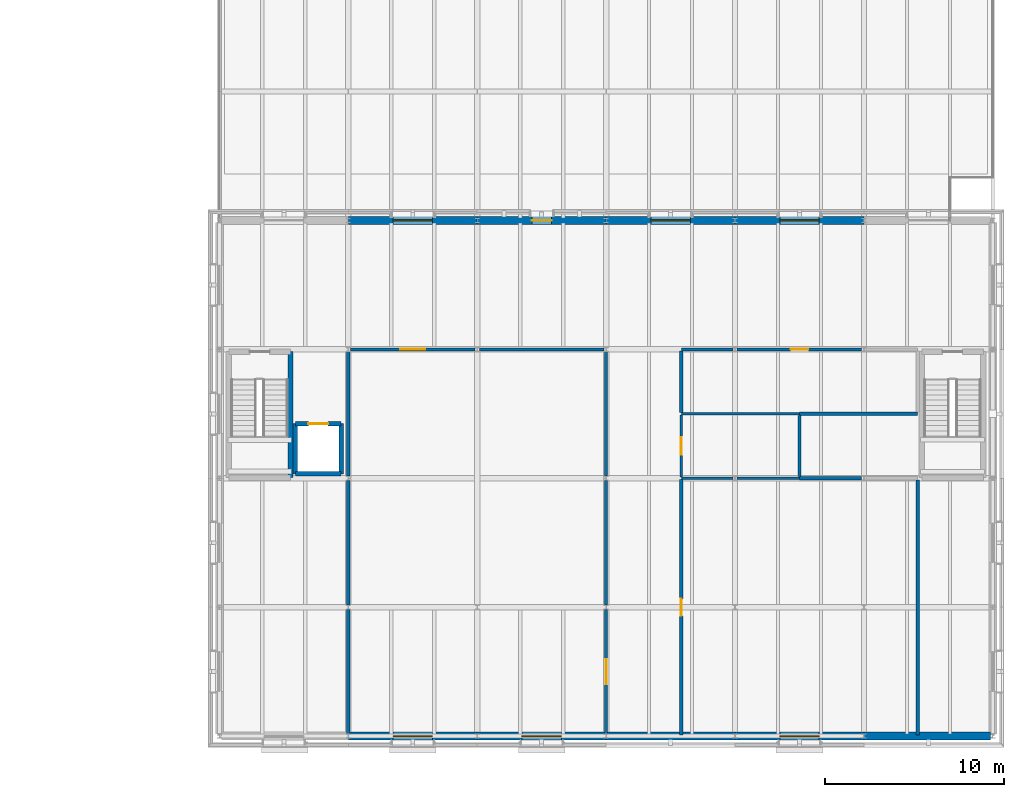
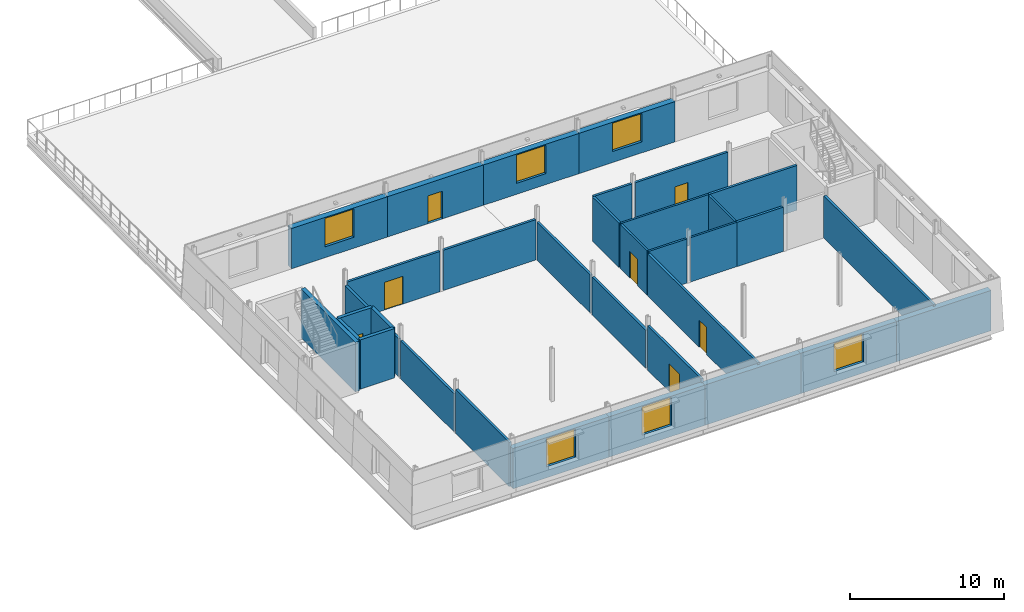
# One storey, part 75 of 115: 34 walls, 7 doors, 6 windows, 13 openings.
"""IFC4 building model written with IfcOpenShell, lengths in metres."""

from ifc_helpers import new_model, si_unit, direction, frame, frame_2d, origin, place, context, subcontext, project, spatial, rectangle, extrude, material, layer, layer_set, type_object, element, fill, save


model = new_model("IFC4")

# Units and contexts
model_context = context("Model", 3, precision=1e-05, world=origin(), true_north=direction((0.0, 1.0)))
body_context = subcontext(model_context, "Body", "Model", "MODEL_VIEW")
ifc_project = project(units=[si_unit("LENGTHUNIT", "METRE"), si_unit("AREAUNIT", "SQUARE_METRE"), si_unit("VOLUMEUNIT", "CUBIC_METRE"), si_unit("PLANEANGLEUNIT", "RADIAN"), si_unit("MASSUNIT", "GRAM", prefix="KILO")], contexts=[model_context])

# Site, building, storey
site_placement = place(None, origin())
site = spatial("IfcSite", under=ifc_project, at=site_placement, CompositionType="ELEMENT")
building_placement = place(site_placement, origin())
building = spatial("IfcBuilding", under=site, at=building_placement, Name="Narikvali Park Central Library", CompositionType="ELEMENT")
storey_placement = place(building_placement, frame((0.0, 0.0, 10.199951171875)))
storey = spatial("IfcBuildingStorey", under=building, at=storey_placement, Name="L02", CompositionType="ELEMENT", Elevation=10.199951171875)

# Walls
ifc_material_1 = material(Name="Moisture-Resistant Cement Board on Steel Studs", Category="steel")
ifc_layer_1 = layer(ifc_material_1, 0.14990234375, Name="Moisture-Resistant Cement Board on Steel Studs")
ifc_layer_set_1 = layer_set([ifc_layer_1], Name="Moisture-Resistant Cement Board on Steel Studs")
wall_type_1 = type_object("IfcWallType", Name="Moisture-Resistant WC Partition 150", PredefinedType="PARTITIONING", material=ifc_layer_set_1)
wall_1_placement = place(storey_placement, frame((148.199951171875, 14.39990234375, 0.0), z_axis=(0.0, 0.0, 1.0), x_axis=(1.0, 0.0, 0.0)))
element("IfcWall", 1, at=wall_1_placement, inside=storey, type_object=wall_type_1, Name="Community Wing Accessible WC L02 Partition S", PredefinedType="PARTITIONING", context=body_context, shape_type="SweptSolid", body=[
    extrude(rectangle(XDim=2.8759765625, YDim=0.14990234375, at=frame_2d((1.43798828125, 0.0))), origin(), (0.0, 0.0, 1.0), 3.51513671875),
])
wall_2_placement = place(storey_placement, frame((151.323974609375, 14.39990234375, 0.0), z_axis=(0.0, 0.0, 1.0), x_axis=(1.0, 0.0, 0.0)))
element("IfcWall", 2, at=wall_2_placement, inside=storey, type_object=wall_type_1, Name="Community Wing Accessible WC L02 Partition S", PredefinedType="PARTITIONING", context=body_context, shape_type="SweptSolid", body=[
    extrude(rectangle(XDim=3.47607421875, YDim=0.14990234375, at=frame_2d((1.738037109375, 0.0))), origin(), (0.0, 0.0, 1.0), 3.51513671875),
])
wall_3_placement = place(storey_placement, frame((148.199951171875, 18.0, 0.0), z_axis=(0.0, 0.0, 1.0), x_axis=(1.0, 0.0, 0.0)))
element("IfcWall", 3, at=wall_3_placement, inside=storey, type_object=wall_type_1, Name="Community Wing Accessible WC L02 Partition N", PredefinedType="PARTITIONING", context=body_context, shape_type="SweptSolid", body=[
    extrude(rectangle(XDim=6.60009765625, YDim=0.14990234375, at=frame_2d((3.300048828125, 0.0))), origin(), (0.0, 0.0, 1.0), 3.554931640625),
])

# Wall, opening, door
wall_4_placement = place(storey_placement, frame((148.199951171875, 14.47705078125, 0.0), z_axis=(0.0, 0.0, 1.0), x_axis=(0.0, 1.0, 0.0)))
wall_4 = element("IfcWall", 4, at=wall_4_placement, inside=storey, type_object=wall_type_1, Name="Community Wing Accessible WC L02 Partition W", PredefinedType="PARTITIONING", context=body_context, shape_type="SweptSolid", body=[
    extrude(rectangle(XDim=3.446044921875, YDim=0.14990234375, at=frame_2d((1.72314453125, 0.0))), origin(), (0.0, 0.0, 1.0), 3.51513671875),
])
opening_1_placement = place(wall_4_placement, frame((1.23291015625, 0.0, 0.0)))
opening_1 = element("IfcOpeningElement", 5, at=opening_1_placement, cuts=wall_4, Name="Opening ID-0026", PredefinedType="OPENING", context=body_context, shape_type="SweptSolid", body=[
    extrude(rectangle(XDim=0.97998046875, YDim=2.10009765625, at=frame_2d((0.489990234375, 1.050048828125))), frame((0.0, 0.0869140625, 0.0), z_axis=(0.0, -1.0, 0.0), x_axis=(1.0, 0.0, 0.0)), (0.0, 0.0, 1.0), 0.173828125),
])
ifc_material_2 = material(Name="Laminate Faced Hardwood Core", Category="wood")
door_type_1 = type_object("IfcDoorType", Name="Accessible WC Outward-Opening Door 980x2100", OperationType="SINGLE_SWING_RIGHT", PredefinedType="DOOR", material=ifc_material_2)
door_1_placement = place(opening_1_placement, origin())
door_1 = element("IfcDoor", 6, at=door_1_placement, inside=storey, type_object=door_type_1, Name="Community Wing Accessible WC L02 Door ID-0026", OperationType="SINGLE_SWING_RIGHT", OverallHeight=2.10009765625, OverallWidth=0.97998046875, PredefinedType="DOOR", context=body_context, shape_type="SweptSolid", body=[
    extrude(rectangle(XDim=0.97998046875, YDim=2.10009765625, at=frame_2d((0.489990234375, 1.050048828125))), frame((0.0, 0.02490234375, 0.0), z_axis=(0.0, -1.0, 0.0), x_axis=(1.0, 0.0, 0.0)), (0.0, 0.0, 1.0), 0.050048828125),
])
fill(opening_1, door_1)

# Walls
wall_5_placement = place(storey_placement, frame((154.800048828125, 14.491943359375, 0.0), z_axis=(0.0, 0.0, 1.0), x_axis=(0.0, 1.0, 0.0)))
element("IfcWall", 7, at=wall_5_placement, inside=storey, type_object=wall_type_1, Name="Community Wing Accessible WC L02 Partition E", PredefinedType="PARTITIONING", context=body_context, shape_type="SweptSolid", body=[
    extrude(rectangle(XDim=3.416015625, YDim=0.14990234375, at=frame_2d((1.7080078125, 0.0))), origin(), (0.0, 0.0, 1.0), 3.51513671875),
])
ifc_material_3 = material(Name="Acoustic Gypsum on Steel Studs", Category="steel")
ifc_layer_2 = layer(ifc_material_3, 0.179931640625, Name="Acoustic Gypsum on Steel Studs")
ifc_layer_set_2 = layer_set([ifc_layer_2], Name="Acoustic Gypsum on Steel Studs")
wall_type_2 = type_object("IfcWallType", Name="Reading Room Acoustic Partition 180", PredefinedType="PARTITIONING", material=ifc_layer_set_2)
wall_6_placement = place(storey_placement, frame((154.802001953125, 14.39990234375, 0.0), z_axis=(0.0, 0.0, 1.0), x_axis=(1.0, 0.0, 0.0)))
element("IfcWall", 8, at=wall_6_placement, inside=storey, type_object=wall_type_2, Name="Library Administration and Outreach Offices Partition N", PredefinedType="PARTITIONING", context=body_context, shape_type="SweptSolid", body=[
    extrude(rectangle(XDim=3.473876953125, YDim=0.179931640625, at=frame_2d((1.73681640625, 0.0))), origin(), (0.0, 0.0, 1.0), 3.51513671875),
])
wall_7_placement = place(storey_placement, frame((154.802001953125, 18.0, 0.0), z_axis=(0.0, 0.0, 1.0), x_axis=(1.0, 0.0, 0.0)))
element("IfcWall", 9, at=wall_7_placement, inside=storey, type_object=wall_type_2, Name="Outreach Archive and Stationery Room Partition S", PredefinedType="PARTITIONING", context=body_context, shape_type="SweptSolid", body=[
    extrude(rectangle(XDim=6.597900390625, YDim=0.179931640625, at=frame_2d((3.298828125, 0.0))), origin(), (0.0, 0.0, 1.0), 3.554931640625),
])
wall_8_placement = place(storey_placement, frame((148.199951171875, 21.60009765625, 0.0), z_axis=(0.0, 0.0, 1.0), x_axis=(1.0, 0.0, 0.0)))
element("IfcWall", 10, at=wall_8_placement, inside=storey, type_object=wall_type_2, Name="Outreach Archive and Stationery Room Partition N", PredefinedType="PARTITIONING", context=body_context, shape_type="SweptSolid", body=[
    extrude(rectangle(XDim=2.8759765625, YDim=0.179931640625, at=frame_2d((1.43798828125, 0.0))), origin(), (0.0, 0.0, 1.0), 3.51513671875),
])

# Wall, opening, door
wall_9_placement = place(storey_placement, frame((151.323974609375, 21.60009765625, 0.0), z_axis=(0.0, 0.0, 1.0), x_axis=(1.0, 0.0, 0.0)))
wall_9 = element("IfcWall", 11, at=wall_9_placement, inside=storey, type_object=wall_type_2, Name="Outreach Archive and Stationery Room Partition N", PredefinedType="PARTITIONING", context=body_context, shape_type="SweptSolid", body=[
    extrude(rectangle(XDim=6.951904296875, YDim=0.179931640625, at=frame_2d((3.47607421875, 0.0))), origin(), (0.0, 0.0, 1.0), 3.51513671875),
])
opening_2_placement = place(wall_9_placement, frame((2.97607421875, 0.0, 0.0)))
opening_2 = element("IfcOpeningElement", 12, at=opening_2_placement, cuts=wall_9, Name="Opening ID-0162", PredefinedType="OPENING", context=body_context, shape_type="SweptSolid", body=[
    extrude(rectangle(XDim=1.0, YDim=2.14990234375, at=frame_2d((0.5, 1.074951171875))), frame((0.0, 0.10205078125, 0.0), z_axis=(0.0, -1.0, 0.0), x_axis=(1.0, 0.0, 0.0)), (0.0, 0.0, 1.0), 0.203857421875),
])
ifc_material_4 = material(Name="Solid Caucasian Oak")
door_type_2 = type_object("IfcDoorType", Name="Study Room Single Oak Door 1000x2150", OperationType="SINGLE_SWING_LEFT", PredefinedType="DOOR", material=ifc_material_4)
door_2_placement = place(opening_2_placement, frame((1.0, 0.0, 0.0), z_axis=(0.0, 0.0, 1.0), x_axis=(-1.0, 0.0, 0.0)))
door_2 = element("IfcDoor", 13, at=door_2_placement, inside=storey, type_object=door_type_2, Name="Outreach Archive and Stationery Room Door ID-0162", OperationType="SINGLE_SWING_RIGHT", OverallHeight=2.14990234375, OverallWidth=1.0, PredefinedType="DOOR", context=body_context, shape_type="SweptSolid", body=[
    extrude(rectangle(XDim=1.0, YDim=2.14990234375, at=frame_2d((0.5, 1.074951171875))), frame((0.0, 0.02490234375, 0.0), z_axis=(0.0, -1.0, 0.0), x_axis=(1.0, 0.0, 0.0)), (0.0, 0.0, 1.0), 0.050048828125),
])
fill(opening_2, door_2)

wall_10_placement = place(storey_placement, frame((129.72412109375, 21.60009765625, 0.0), z_axis=(0.0, 0.0, 1.0), x_axis=(1.0, 0.0, 0.0)))
wall_10 = element("IfcWall", 14, at=wall_10_placement, inside=storey, type_object=wall_type_2, Name="Community Civic Forum Hall Partition N", PredefinedType="PARTITIONING", context=body_context, shape_type="SweptSolid", body=[
    extrude(rectangle(XDim=6.951904296875, YDim=0.179931640625, at=frame_2d((3.47607421875, 0.0))), origin(), (0.0, 0.0, 1.0), 3.205078125),
])
opening_3_placement = place(wall_10_placement, frame((2.77587890625, 0.0, 0.0)))
opening_3 = element("IfcOpeningElement", 15, at=opening_3_placement, cuts=wall_10, Name="Opening ID-0164", PredefinedType="OPENING", context=body_context, shape_type="SweptSolid", body=[
    extrude(rectangle(XDim=1.39990234375, YDim=2.199951171875, at=frame_2d((0.699951171875, 1.10009765625))), frame((0.0, 0.10205078125, 0.0), z_axis=(0.0, -1.0, 0.0), x_axis=(1.0, 0.0, 0.0)), (0.0, 0.0, 1.0), 0.203857421875),
])
ifc_material_5 = material(Name="Caucasian Oak and Acoustic Glass", Category="glass")
door_type_3 = type_object("IfcDoorType", Name="Community Room Glazed Oak Door 1400x2200", OperationType="DOUBLE_DOOR_SINGLE_SWING", PredefinedType="DOOR", material=ifc_material_5)
door_3_placement = place(opening_3_placement, frame((1.39990234375, 0.0, 0.0), z_axis=(0.0, 0.0, 1.0), x_axis=(-1.0, 0.0, 0.0)))
door_3 = element("IfcDoor", 16, at=door_3_placement, inside=storey, type_object=door_type_3, Name="Community Civic Forum Hall Door ID-0164", OperationType="DOUBLE_DOOR_SINGLE_SWING", OverallHeight=2.199951171875, OverallWidth=1.39990234375, PredefinedType="DOOR", context=body_context, shape_type="SweptSolid", body=[
    extrude(rectangle(XDim=1.39990234375, YDim=2.199951171875, at=frame_2d((0.699951171875, 1.10009765625))), frame((0.0, 0.02490234375, 0.0), z_axis=(0.0, -1.0, 0.0), x_axis=(1.0, 0.0, 0.0)), (0.0, 0.0, 1.0), 0.050048828125),
])
fill(opening_3, door_3)

# Wall
wall_11_placement = place(storey_placement, frame((136.924072265625, 21.60009765625, 0.0), z_axis=(0.0, 0.0, 1.0), x_axis=(1.0, 0.0, 0.0)))
element("IfcWall", 17, at=wall_11_placement, inside=storey, type_object=wall_type_2, Name="Community Civic Forum Hall Partition N", PredefinedType="PARTITIONING", context=body_context, shape_type="SweptSolid", body=[
    extrude(rectangle(XDim=6.951904296875, YDim=0.179931640625, at=frame_2d((3.47607421875, 0.0))), origin(), (0.0, 0.0, 1.0), 3.205078125),
])

# Wall, opening, door
wall_12_placement = place(storey_placement, frame((148.199951171875, 0.054931640625, 0.0), z_axis=(0.0, 0.0, 1.0), x_axis=(0.0, 1.0, 0.0)))
wall_12 = element("IfcWall", 18, at=wall_12_placement, inside=storey, type_object=wall_type_2, Name="Library Administration and Outreach Offices Partition W", PredefinedType="PARTITIONING", context=body_context, shape_type="SweptSolid", body=[
    extrude(rectangle(XDim=14.26806640625, YDim=0.179931640625, at=frame_2d((7.134033203125, 0.0))), origin(), (0.0, 0.0, 1.0), 3.35498046875),
])
opening_4_placement = place(wall_12_placement, frame((6.658935546875, 0.0, 0.0)))
opening_4 = element("IfcOpeningElement", 19, at=opening_4_placement, cuts=wall_12, Name="Opening ID-0161", PredefinedType="OPENING", context=body_context, shape_type="SweptSolid", body=[
    extrude(rectangle(XDim=0.949951171875, YDim=2.14990234375, at=frame_2d((0.47509765625, 1.074951171875))), frame((0.0, 0.10205078125, 0.0), z_axis=(0.0, -1.0, 0.0), x_axis=(1.0, 0.0, 0.0)), (0.0, 0.0, 1.0), 0.203857421875),
])
door_type_4 = type_object("IfcDoorType", Name="Staff Cataloguing Office Door 950x2150", OperationType="SINGLE_SWING_LEFT", PredefinedType="DOOR", material=ifc_material_4)
door_4_placement = place(opening_4_placement, frame((0.949951171875, 0.0, 0.0), z_axis=(0.0, 0.0, 1.0), x_axis=(-1.0, 0.0, 0.0)))
door_4 = element("IfcDoor", 20, at=door_4_placement, inside=storey, type_object=door_type_4, Name="Library Administration and Outreach Offices Door ID-0161", OperationType="SINGLE_SWING_LEFT", OverallHeight=2.14990234375, OverallWidth=0.949951171875, PredefinedType="DOOR", context=body_context, shape_type="SweptSolid", body=[
    extrude(rectangle(XDim=0.949951171875, YDim=2.14990234375, at=frame_2d((0.47509765625, 1.074951171875))), frame((0.0, 0.02490234375, 0.0), z_axis=(0.0, -1.0, 0.0), x_axis=(1.0, 0.0, 0.0)), (0.0, 0.0, 1.0), 0.050048828125),
])
fill(opening_4, door_4)

# Walls
wall_13_placement = place(storey_placement, frame((161.39990234375, 0.054931640625, 0.0), z_axis=(0.0, 0.0, 1.0), x_axis=(0.0, 1.0, 0.0)))
element("IfcWall", 21, at=wall_13_placement, inside=storey, type_object=wall_type_2, Name="Library Administration and Outreach Offices Partition E", PredefinedType="PARTITIONING", context=body_context, shape_type="SweptSolid", body=[
    extrude(rectangle(XDim=14.253173828125, YDim=0.179931640625, at=frame_2d((7.12646484375, 0.0))), origin(), (0.0, 0.0, 1.0), 3.35498046875),
])
wall_14_placement = place(storey_placement, frame((148.199951171875, 18.076904296875, 0.0), z_axis=(0.0, 0.0, 1.0), x_axis=(0.0, 1.0, 0.0)))
element("IfcWall", 22, at=wall_14_placement, inside=storey, type_object=wall_type_2, Name="Outreach Archive and Stationery Room Partition W", PredefinedType="PARTITIONING", context=body_context, shape_type="SweptSolid", body=[
    extrude(rectangle(XDim=3.43115234375, YDim=0.179931640625, at=frame_2d((1.715576171875, 0.0))), origin(), (0.0, 0.0, 1.0), 3.51513671875),
])
wall_15_placement = place(storey_placement, frame((129.60009765625, 0.1240234375, 0.0), z_axis=(0.0, 0.0, 1.0), x_axis=(0.0, 1.0, 0.0)))
element("IfcWall", 23, at=wall_15_placement, inside=storey, type_object=wall_type_2, Name="Community Civic Forum Hall Partition W", PredefinedType="PARTITIONING", context=body_context, shape_type="SweptSolid", body=[
    extrude(rectangle(XDim=6.951904296875, YDim=0.179931640625, at=frame_2d((3.47607421875, 0.0))), origin(), (0.0, 0.0, 1.0), 3.51513671875),
])
wall_16_placement = place(storey_placement, frame((129.60009765625, 7.323974609375, 0.0), z_axis=(0.0, 0.0, 1.0), x_axis=(0.0, 1.0, 0.0)))
element("IfcWall", 24, at=wall_16_placement, inside=storey, type_object=wall_type_2, Name="Community Civic Forum Hall Partition W", PredefinedType="PARTITIONING", context=body_context, shape_type="SweptSolid", body=[
    extrude(rectangle(XDim=6.951904296875, YDim=0.179931640625, at=frame_2d((3.47607421875, 0.0))), origin(), (0.0, 0.0, 1.0), 3.01513671875),
])
wall_17_placement = place(storey_placement, frame((129.60009765625, 14.52392578125, 0.0), z_axis=(0.0, 0.0, 1.0), x_axis=(0.0, 1.0, 0.0)))
element("IfcWall", 25, at=wall_17_placement, inside=storey, type_object=wall_type_2, Name="Community Civic Forum Hall Partition W", PredefinedType="PARTITIONING", context=body_context, shape_type="SweptSolid", body=[
    extrude(rectangle(XDim=6.9521484375, YDim=0.179931640625, at=frame_2d((3.47607421875, 0.0))), origin(), (0.0, 0.0, 1.0), 3.01513671875),
])

# Wall, opening, door
wall_18_placement = place(storey_placement, frame((144.0, 0.1240234375, 0.0), z_axis=(0.0, 0.0, 1.0), x_axis=(0.0, 1.0, 0.0)))
wall_18 = element("IfcWall", 26, at=wall_18_placement, inside=storey, type_object=wall_type_2, Name="Community Civic Forum Hall Partition E", PredefinedType="PARTITIONING", context=body_context, shape_type="SweptSolid", body=[
    extrude(rectangle(XDim=6.951904296875, YDim=0.179931640625, at=frame_2d((3.47607421875, 0.0))), origin(), (0.0, 0.0, 1.0), 3.51513671875),
])
opening_5_placement = place(wall_18_placement, frame((2.77587890625, 0.0, 0.0)))
opening_5 = element("IfcOpeningElement", 27, at=opening_5_placement, cuts=wall_18, Name="Opening ID-0163", PredefinedType="OPENING", context=body_context, shape_type="SweptSolid", body=[
    extrude(rectangle(XDim=1.39990234375, YDim=2.199951171875, at=frame_2d((0.699951171875, 1.10009765625))), frame((0.0, 0.10205078125, 0.0), z_axis=(0.0, -1.0, 0.0), x_axis=(1.0, 0.0, 0.0)), (0.0, 0.0, 1.0), 0.203857421875),
])
door_5_placement = place(opening_5_placement, origin())
door_5 = element("IfcDoor", 28, at=door_5_placement, inside=storey, type_object=door_type_3, Name="Community Civic Forum Hall Door ID-0163", OperationType="DOUBLE_DOOR_SINGLE_SWING", OverallHeight=2.199951171875, OverallWidth=1.39990234375, PredefinedType="DOOR", context=body_context, shape_type="SweptSolid", body=[
    extrude(rectangle(XDim=1.39990234375, YDim=2.199951171875, at=frame_2d((0.699951171875, 1.10009765625))), frame((0.0, 0.02490234375, 0.0), z_axis=(0.0, -1.0, 0.0), x_axis=(1.0, 0.0, 0.0)), (0.0, 0.0, 1.0), 0.050048828125),
])
fill(opening_5, door_5)

# Walls
wall_19_placement = place(storey_placement, frame((144.0, 7.323974609375, 0.0), z_axis=(0.0, 0.0, 1.0), x_axis=(0.0, 1.0, 0.0)))
element("IfcWall", 29, at=wall_19_placement, inside=storey, type_object=wall_type_2, Name="Community Civic Forum Hall Partition E", PredefinedType="PARTITIONING", context=body_context, shape_type="SweptSolid", body=[
    extrude(rectangle(XDim=6.951904296875, YDim=0.179931640625, at=frame_2d((3.47607421875, 0.0))), origin(), (0.0, 0.0, 1.0), 3.01513671875),
])
wall_20_placement = place(storey_placement, frame((144.0, 14.52392578125, 0.0), z_axis=(0.0, 0.0, 1.0), x_axis=(0.0, 1.0, 0.0)))
element("IfcWall", 30, at=wall_20_placement, inside=storey, type_object=wall_type_2, Name="Community Civic Forum Hall Partition E", PredefinedType="PARTITIONING", context=body_context, shape_type="SweptSolid", body=[
    extrude(rectangle(XDim=6.9521484375, YDim=0.179931640625, at=frame_2d((3.47607421875, 0.0))), origin(), (0.0, 0.0, 1.0), 3.01513671875),
])
ifc_material_6 = material(Name="Concrete C40/50", Category="concrete")
ifc_layer_3 = layer(ifc_material_6, 0.25, Name="Concrete C40/50")
ifc_layer_set_3 = layer_set([ifc_layer_3], Name="Concrete C40/50")
wall_type_3 = type_object("IfcWallType", Name="Reinforced Concrete Lift Shaft Wall 250", PredefinedType="SHEAR", material=ifc_layer_set_3)
wall_21_placement = place(storey_placement, frame((126.64990234375, 14.64990234375, 0.0), z_axis=(0.0, 0.0, 1.0), x_axis=(1.0, 0.0, 0.0)))
element("IfcWall", 31, at=wall_21_placement, inside=storey, type_object=wall_type_3, Name="L-07 L02 Lift Shaft Wall S", PredefinedType="SHEAR", context=body_context, shape_type="SweptSolid", body=[
    extrude(rectangle(XDim=2.550048828125, YDim=0.25, at=frame_2d((1.27490234375, 0.0))), origin(), (0.0, 0.0, 1.0), 3.920166015625),
])
wall_22_placement = place(storey_placement, frame((129.199951171875, 14.64990234375, 0.0), z_axis=(0.0, 0.0, 1.0), x_axis=(0.0, 1.0, 0.0)))
element("IfcWall", 32, at=wall_22_placement, inside=storey, type_object=wall_type_3, Name="L-07 L02 Lift Shaft Wall E", PredefinedType="SHEAR", context=body_context, shape_type="SweptSolid", body=[
    extrude(rectangle(XDim=2.800048828125, YDim=0.25, at=frame_2d((1.39990234375, 0.0))), origin(), (0.0, 0.0, 1.0), 3.920166015625),
])

# Wall, opening, door
wall_23_placement = place(storey_placement, frame((129.199951171875, 17.449951171875, 0.0), z_axis=(0.0, 0.0, 1.0), x_axis=(-1.0, 0.0, 0.0)))
wall_23 = element("IfcWall", 33, at=wall_23_placement, inside=storey, type_object=wall_type_3, Name="L-07 L02 Lift Shaft Wall N", PredefinedType="SHEAR", context=body_context, shape_type="SweptSolid", body=[
    extrude(rectangle(XDim=2.550048828125, YDim=0.25, at=frame_2d((1.27490234375, 0.0))), origin(), (0.0, 0.0, 1.0), 3.920166015625),
])
opening_6_placement = place(wall_23_placement, frame((0.72509765625, 0.0, 0.0)))
opening_6 = element("IfcOpeningElement", 34, at=opening_6_placement, cuts=wall_23, Name="Opening LD-051", PredefinedType="OPENING", context=body_context, shape_type="SweptSolid", body=[
    extrude(rectangle(XDim=1.10009765625, YDim=2.10009765625, at=frame_2d((0.550048828125, 1.050048828125))), frame((0.0, 0.136962890625, 0.0), z_axis=(0.0, -1.0, 0.0), x_axis=(1.0, 0.0, 0.0)), (0.0, 0.0, 1.0), 0.27392578125),
])
ifc_material_7 = material(Name="Brushed Stainless Steel S355", Category="steel")
door_type_5 = type_object("IfcDoorType", Name="Passenger Lift Sliding Landing Door 1100x2100", OperationType="SLIDING_TO_LEFT", PredefinedType="DOOR", material=ifc_material_7)
door_6_placement = place(opening_6_placement, origin())
door_6 = element("IfcDoor", 35, at=door_6_placement, inside=storey, type_object=door_type_5, Name="L-07 L02 Lift Landing Sliding Door LD-051", OperationType="SLIDING_TO_LEFT", OverallHeight=2.10009765625, OverallWidth=1.10009765625, PredefinedType="DOOR", context=body_context, shape_type="SweptSolid", body=[
    extrude(rectangle(XDim=1.10009765625, YDim=2.10009765625, at=frame_2d((0.550048828125, 1.050048828125))), frame((0.0, 0.02490234375, 0.0), z_axis=(0.0, -1.0, 0.0), x_axis=(1.0, 0.0, 0.0)), (0.0, 0.0, 1.0), 0.050048828125),
])
fill(opening_6, door_6)

# Walls
wall_24_placement = place(storey_placement, frame((126.64990234375, 17.449951171875, 0.0), z_axis=(0.0, 0.0, 1.0), x_axis=(0.0, -1.0, 0.0)))
element("IfcWall", 36, at=wall_24_placement, inside=storey, type_object=wall_type_3, Name="L-07 L02 Lift Shaft Wall W", PredefinedType="SHEAR", context=body_context, shape_type="SweptSolid", body=[
    extrude(rectangle(XDim=2.800048828125, YDim=0.25, at=frame_2d((1.39990234375, 0.0))), origin(), (0.0, 0.0, 1.0), 3.920166015625),
])
ifc_layer_4 = layer(ifc_material_6, 0.300048828125, Name="Concrete C40/50")
ifc_layer_set_4 = layer_set([ifc_layer_4], Name="Concrete C40/50")
wall_type_4 = type_object("IfcWallType", Name="Reinforced Concrete Shear Wall 300", PredefinedType="SHEAR", material=ifc_layer_set_4)
wall_25_placement = place(storey_placement, frame((126.3701171875, 14.429931640625, 0.0), z_axis=(0.0, 0.0, 1.0), x_axis=(0.0, 1.0, 0.0)))
element("IfcWall", 37, at=wall_25_placement, inside=storey, type_object=wall_type_4, Name="C6A L02 Stair Core Shear Wall E", PredefinedType="SHEAR", context=body_context, shape_type="SweptSolid", body=[
    extrude(rectangle(XDim=7.0400390625, YDim=0.300048828125, at=frame_2d((3.52001953125, 0.0))), origin(), (0.0, 0.0, 1.0), 3.920166015625),
])

# Wall, opening, window
ifc_material_8 = material(Name="White Honed Limestone over Concrete C35/45", Category="masonry")
ifc_layer_5 = layer(ifc_material_8, 0.43994140625, Name="White Honed Limestone over Concrete C35/45")
ifc_layer_set_5 = layer_set([ifc_layer_5], Name="White Honed Limestone over Concrete C35/45")
wall_type_5 = type_object("IfcWallType", Name="White Limestone Battered Tier2 Wall 440", PredefinedType="SOLIDWALL", material=ifc_layer_set_5)
wall_26_placement = place(storey_placement, frame((129.60009765625, 0.0, 0.0), z_axis=(0.0, 0.0, 1.0), x_axis=(1.0, 0.0, 0.0)))
wall_26 = element("IfcWall", 38, at=wall_26_placement, inside=storey, type_object=wall_type_5, Name="V6 L02 S Exterior Limestone Wall B02", PredefinedType="SOLIDWALL", context=body_context, shape_type="SweptSolid", body=[
    extrude(rectangle(XDim=7.199951171875, YDim=0.43994140625, at=frame_2d((3.60009765625, 0.0))), origin(), (0.0, 0.0, 1.0), 3.199951171875),
])
opening_7_placement = place(wall_26_placement, frame((2.5, 0.0, 0.8701171875)))
opening_7 = element("IfcOpeningElement", 39, at=opening_7_placement, cuts=wall_26, Name="Opening WIN-0385", PredefinedType="OPENING", context=body_context, shape_type="SweptSolid", body=[
    extrude(rectangle(XDim=2.199951171875, YDim=2.25, at=frame_2d((1.10009765625, 1.125))), frame((0.0, 0.23193359375, 0.0), z_axis=(0.0, -1.0, 0.0), x_axis=(1.0, 0.0, 0.0)), (0.0, 0.0, 1.0), 0.4638671875),
])
ifc_material_9 = material(Name="Anodised Bronze Aluminium and Low-E Triple Glazing", Category="aluminium")
window_type = type_object("IfcWindowType", Name="Community & Fine Arts Studio Window 2200x2250", PartitioningType="TRIPLE_PANEL_VERTICAL", PredefinedType="WINDOW", material=ifc_material_9)
window_1_placement = place(opening_7_placement, origin())
window_1 = element("IfcWindow", 40, at=window_1_placement, inside=storey, type_object=window_type, Name="V6 L02 S Deep-Reveal Window WIN-0385", OverallHeight=2.25, OverallWidth=2.199951171875, PartitioningType="SINGLE_PANEL", PredefinedType="WINDOW", context=body_context, shape_type="SweptSolid", body=[
    extrude(rectangle(XDim=2.199951171875, YDim=2.25, at=frame_2d((1.10009765625, 1.125))), frame((0.0, 0.030029296875, 0.0), z_axis=(0.0, -1.0, 0.0), x_axis=(1.0, 0.0, 0.0)), (0.0, 0.0, 1.0), 0.06005859375),
])
fill(opening_7, window_1)

wall_27_placement = place(storey_placement, frame((136.800048828125, 0.0, 0.0), z_axis=(0.0, 0.0, 1.0), x_axis=(1.0, 0.0, 0.0)))
wall_27 = element("IfcWall", 41, at=wall_27_placement, inside=storey, type_object=wall_type_5, Name="V6 L02 S Exterior Limestone Wall B03", PredefinedType="SOLIDWALL", context=body_context, shape_type="SweptSolid", body=[
    extrude(rectangle(XDim=7.199951171875, YDim=0.43994140625, at=frame_2d((3.60009765625, 0.0))), origin(), (0.0, 0.0, 1.0), 3.199951171875),
])
opening_8_placement = place(wall_27_placement, frame((2.5, 0.0, 0.8701171875)))
opening_8 = element("IfcOpeningElement", 42, at=opening_8_placement, cuts=wall_27, Name="Opening WIN-0386", PredefinedType="OPENING", context=body_context, shape_type="SweptSolid", body=[
    extrude(rectangle(XDim=2.199951171875, YDim=2.25, at=frame_2d((1.10009765625, 1.125))), frame((0.0, 0.23193359375, 0.0), z_axis=(0.0, -1.0, 0.0), x_axis=(1.0, 0.0, 0.0)), (0.0, 0.0, 1.0), 0.4638671875),
])
window_2_placement = place(opening_8_placement, origin())
window_2 = element("IfcWindow", 43, at=window_2_placement, inside=storey, type_object=window_type, Name="V6 L02 S Deep-Reveal Window WIN-0386", OverallHeight=2.25, OverallWidth=2.199951171875, PartitioningType="SINGLE_PANEL", PredefinedType="WINDOW", context=body_context, shape_type="SweptSolid", body=[
    extrude(rectangle(XDim=2.199951171875, YDim=2.25, at=frame_2d((1.10009765625, 1.125))), frame((0.0, 0.030029296875, 0.0), z_axis=(0.0, -1.0, 0.0), x_axis=(1.0, 0.0, 0.0)), (0.0, 0.0, 1.0), 0.06005859375),
])
fill(opening_8, window_2)

# Wall
wall_28_placement = place(storey_placement, frame((144.0, 0.0, 0.0), z_axis=(0.0, 0.0, 1.0), x_axis=(1.0, 0.0, 0.0)))
element("IfcWall", 44, at=wall_28_placement, inside=storey, type_object=wall_type_5, Name="V6 L02 S Exterior Limestone Wall B04", PredefinedType="SOLIDWALL", context=body_context, shape_type="SweptSolid", body=[
    extrude(rectangle(XDim=7.199951171875, YDim=0.43994140625, at=frame_2d((3.60009765625, 0.0))), origin(), (0.0, 0.0, 1.0), 3.199951171875),
])

# Wall, opening, window
wall_29_placement = place(storey_placement, frame((151.199951171875, 0.0, 0.0), z_axis=(0.0, 0.0, 1.0), x_axis=(1.0, 0.0, 0.0)))
wall_29 = element("IfcWall", 45, at=wall_29_placement, inside=storey, type_object=wall_type_5, Name="V6 L02 S Exterior Limestone Wall B05", PredefinedType="SOLIDWALL", context=body_context, shape_type="SweptSolid", body=[
    extrude(rectangle(XDim=7.199951171875, YDim=0.43994140625, at=frame_2d((3.60009765625, 0.0))), origin(), (0.0, 0.0, 1.0), 3.199951171875),
])
opening_9_placement = place(wall_29_placement, frame((2.5, 0.0, 0.8701171875)))
opening_9 = element("IfcOpeningElement", 46, at=opening_9_placement, cuts=wall_29, Name="Opening WIN-0387", PredefinedType="OPENING", context=body_context, shape_type="SweptSolid", body=[
    extrude(rectangle(XDim=2.199951171875, YDim=2.25, at=frame_2d((1.10009765625, 1.125))), frame((0.0, 0.23193359375, 0.0), z_axis=(0.0, -1.0, 0.0), x_axis=(1.0, 0.0, 0.0)), (0.0, 0.0, 1.0), 0.4638671875),
])
window_3_placement = place(opening_9_placement, origin())
window_3 = element("IfcWindow", 47, at=window_3_placement, inside=storey, type_object=window_type, Name="V6 L02 S Deep-Reveal Window WIN-0387", OverallHeight=2.25, OverallWidth=2.199951171875, PartitioningType="SINGLE_PANEL", PredefinedType="WINDOW", context=body_context, shape_type="SweptSolid", body=[
    extrude(rectangle(XDim=2.199951171875, YDim=2.25, at=frame_2d((1.10009765625, 1.125))), frame((0.0, 0.030029296875, 0.0), z_axis=(0.0, -1.0, 0.0), x_axis=(1.0, 0.0, 0.0)), (0.0, 0.0, 1.0), 0.06005859375),
])
fill(opening_9, window_3)

# Wall
wall_30_placement = place(storey_placement, frame((158.39990234375, 0.0, 0.0), z_axis=(0.0, 0.0, 1.0), x_axis=(1.0, 0.0, 0.0)))
element("IfcWall", 48, at=wall_30_placement, inside=storey, type_object=wall_type_5, Name="V6 L02 S Exterior Limestone Wall B06", PredefinedType="SOLIDWALL", context=body_context, shape_type="SweptSolid", body=[
    extrude(rectangle(XDim=7.076171875, YDim=0.43994140625, at=frame_2d((3.5380859375, 0.0))), origin(), (0.0, 0.0, 1.0), 3.199951171875),
])

# Wall, opening, window
wall_31_placement = place(storey_placement, frame((158.39990234375, 28.800048828125, 0.0), z_axis=(0.0, 0.0, 1.0), x_axis=(-1.0, 0.0, 0.0)))
wall_31 = element("IfcWall", 49, at=wall_31_placement, inside=storey, type_object=wall_type_5, Name="V6 L02 N Exterior Limestone Wall B02", PredefinedType="SOLIDWALL", context=body_context, shape_type="SweptSolid", body=[
    extrude(rectangle(XDim=7.199951171875, YDim=0.43994140625, at=frame_2d((3.60009765625, 0.0))), origin(), (0.0, 0.0, 1.0), 3.199951171875),
])
opening_10_placement = place(wall_31_placement, frame((2.5, 0.0, 0.8701171875)))
opening_10 = element("IfcOpeningElement", 50, at=opening_10_placement, cuts=wall_31, Name="Opening WIN-0392", PredefinedType="OPENING", context=body_context, shape_type="SweptSolid", body=[
    extrude(rectangle(XDim=2.199951171875, YDim=2.25, at=frame_2d((1.10009765625, 1.125))), frame((0.0, 0.23193359375, 0.0), z_axis=(0.0, -1.0, 0.0), x_axis=(1.0, 0.0, 0.0)), (0.0, 0.0, 1.0), 0.4638671875),
])
window_4_placement = place(opening_10_placement, origin())
window_4 = element("IfcWindow", 51, at=window_4_placement, inside=storey, type_object=window_type, Name="V6 L02 N Deep-Reveal Window WIN-0392", OverallHeight=2.25, OverallWidth=2.199951171875, PartitioningType="SINGLE_PANEL", PredefinedType="WINDOW", context=body_context, shape_type="SweptSolid", body=[
    extrude(rectangle(XDim=2.199951171875, YDim=2.25, at=frame_2d((1.10009765625, 1.125))), frame((0.0, 0.030029296875, 0.0), z_axis=(0.0, -1.0, 0.0), x_axis=(1.0, 0.0, 0.0)), (0.0, 0.0, 1.0), 0.06005859375),
])
fill(opening_10, window_4)

wall_32_placement = place(storey_placement, frame((151.199951171875, 28.800048828125, 0.0), z_axis=(0.0, 0.0, 1.0), x_axis=(-1.0, 0.0, 0.0)))
wall_32 = element("IfcWall", 52, at=wall_32_placement, inside=storey, type_object=wall_type_5, Name="V6 L02 N Exterior Limestone Wall B03", PredefinedType="SOLIDWALL", context=body_context, shape_type="SweptSolid", body=[
    extrude(rectangle(XDim=7.199951171875, YDim=0.43994140625, at=frame_2d((3.60009765625, 0.0))), origin(), (0.0, 0.0, 1.0), 3.199951171875),
])
opening_11_placement = place(wall_32_placement, frame((2.5, 0.0, 0.8701171875)))
opening_11 = element("IfcOpeningElement", 53, at=opening_11_placement, cuts=wall_32, Name="Opening WIN-0393", PredefinedType="OPENING", context=body_context, shape_type="SweptSolid", body=[
    extrude(rectangle(XDim=2.199951171875, YDim=2.25, at=frame_2d((1.10009765625, 1.125))), frame((0.0, 0.23193359375, 0.0), z_axis=(0.0, -1.0, 0.0), x_axis=(1.0, 0.0, 0.0)), (0.0, 0.0, 1.0), 0.4638671875),
])
window_5_placement = place(opening_11_placement, origin())
window_5 = element("IfcWindow", 54, at=window_5_placement, inside=storey, type_object=window_type, Name="V6 L02 N Deep-Reveal Window WIN-0393", OverallHeight=2.25, OverallWidth=2.199951171875, PartitioningType="SINGLE_PANEL", PredefinedType="WINDOW", context=body_context, shape_type="SweptSolid", body=[
    extrude(rectangle(XDim=2.199951171875, YDim=2.25, at=frame_2d((1.10009765625, 1.125))), frame((0.0, 0.030029296875, 0.0), z_axis=(0.0, -1.0, 0.0), x_axis=(1.0, 0.0, 0.0)), (0.0, 0.0, 1.0), 0.06005859375),
])
fill(opening_11, window_5)

# Wall, opening, door
wall_33_placement = place(storey_placement, frame((144.0, 28.800048828125, 0.0), z_axis=(0.0, 0.0, 1.0), x_axis=(-1.0, 0.0, 0.0)))
wall_33 = element("IfcWall", 55, at=wall_33_placement, inside=storey, type_object=wall_type_5, Name="V6 L02 N Exterior Limestone Wall B04", PredefinedType="SOLIDWALL", context=body_context, shape_type="SweptSolid", body=[
    extrude(rectangle(XDim=7.199951171875, YDim=0.43994140625, at=frame_2d((3.60009765625, 0.0))), origin(), (0.0, 0.0, 1.0), 3.199951171875),
])
opening_12_placement = place(wall_33_placement, frame((3.050048828125, 0.0, 0.0)))
opening_12 = element("IfcOpeningElement", 56, at=opening_12_placement, cuts=wall_33, Name="Opening ED-053", PredefinedType="OPENING", context=body_context, shape_type="SweptSolid", body=[
    extrude(rectangle(XDim=1.10009765625, YDim=2.199951171875, at=frame_2d((0.550048828125, 1.10009765625))), frame((0.0, 0.23193359375, 0.0), z_axis=(0.0, -1.0, 0.0), x_axis=(1.0, 0.0, 0.0)), (0.0, 0.0, 1.0), 0.4638671875),
])
ifc_material_10 = material(Name="Anodised Architectural Bronze and Tempered Glass", Category="glass")
door_type_6 = type_object("IfcDoorType", Name="Roof Garden Terrace Glazed Door 1100x2200", OperationType="SINGLE_SWING_LEFT", PredefinedType="DOOR", material=ifc_material_10)
door_7_placement = place(opening_12_placement, frame((1.10009765625, 0.0, 0.0), z_axis=(0.0, 0.0, 1.0), x_axis=(-1.0, 0.0, 0.0)))
door_7 = element("IfcDoor", 57, at=door_7_placement, inside=storey, type_object=door_type_6, Name="V6 L02 Planted Roof Garden Access Door ED-053", OperationType="SINGLE_SWING_LEFT", OverallHeight=2.199951171875, OverallWidth=1.10009765625, PredefinedType="DOOR", context=body_context, shape_type="SweptSolid", body=[
    extrude(rectangle(XDim=1.10009765625, YDim=2.199951171875, at=frame_2d((0.550048828125, 1.10009765625))), frame((0.0, 0.02490234375, 0.0), z_axis=(0.0, -1.0, 0.0), x_axis=(1.0, 0.0, 0.0)), (0.0, 0.0, 1.0), 0.050048828125),
])
fill(opening_12, door_7)

# Wall, opening, window
wall_34_placement = place(storey_placement, frame((136.800048828125, 28.800048828125, 0.0), z_axis=(0.0, 0.0, 1.0), x_axis=(-1.0, 0.0, 0.0)))
wall_34 = element("IfcWall", 58, at=wall_34_placement, inside=storey, type_object=wall_type_5, Name="V6 L02 N Exterior Limestone Wall B05", PredefinedType="SOLIDWALL", context=body_context, shape_type="SweptSolid", body=[
    extrude(rectangle(XDim=7.199951171875, YDim=0.43994140625, at=frame_2d((3.60009765625, 0.0))), origin(), (0.0, 0.0, 1.0), 3.199951171875),
])
opening_13_placement = place(wall_34_placement, frame((2.5, 0.0, 0.8701171875)))
opening_13 = element("IfcOpeningElement", 59, at=opening_13_placement, cuts=wall_34, Name="Opening WIN-0394", PredefinedType="OPENING", context=body_context, shape_type="SweptSolid", body=[
    extrude(rectangle(XDim=2.199951171875, YDim=2.25, at=frame_2d((1.10009765625, 1.125))), frame((0.0, 0.23193359375, 0.0), z_axis=(0.0, -1.0, 0.0), x_axis=(1.0, 0.0, 0.0)), (0.0, 0.0, 1.0), 0.4638671875),
])
window_6_placement = place(opening_13_placement, origin())
window_6 = element("IfcWindow", 60, at=window_6_placement, inside=storey, type_object=window_type, Name="V6 L02 N Deep-Reveal Window WIN-0394", OverallHeight=2.25, OverallWidth=2.199951171875, PartitioningType="SINGLE_PANEL", PredefinedType="WINDOW", context=body_context, shape_type="SweptSolid", body=[
    extrude(rectangle(XDim=2.199951171875, YDim=2.25, at=frame_2d((1.10009765625, 1.125))), frame((0.0, 0.030029296875, 0.0), z_axis=(0.0, -1.0, 0.0), x_axis=(1.0, 0.0, 0.0)), (0.0, 0.0, 1.0), 0.06005859375),
])
fill(opening_13, window_6)

save(model, "model.ifc")
